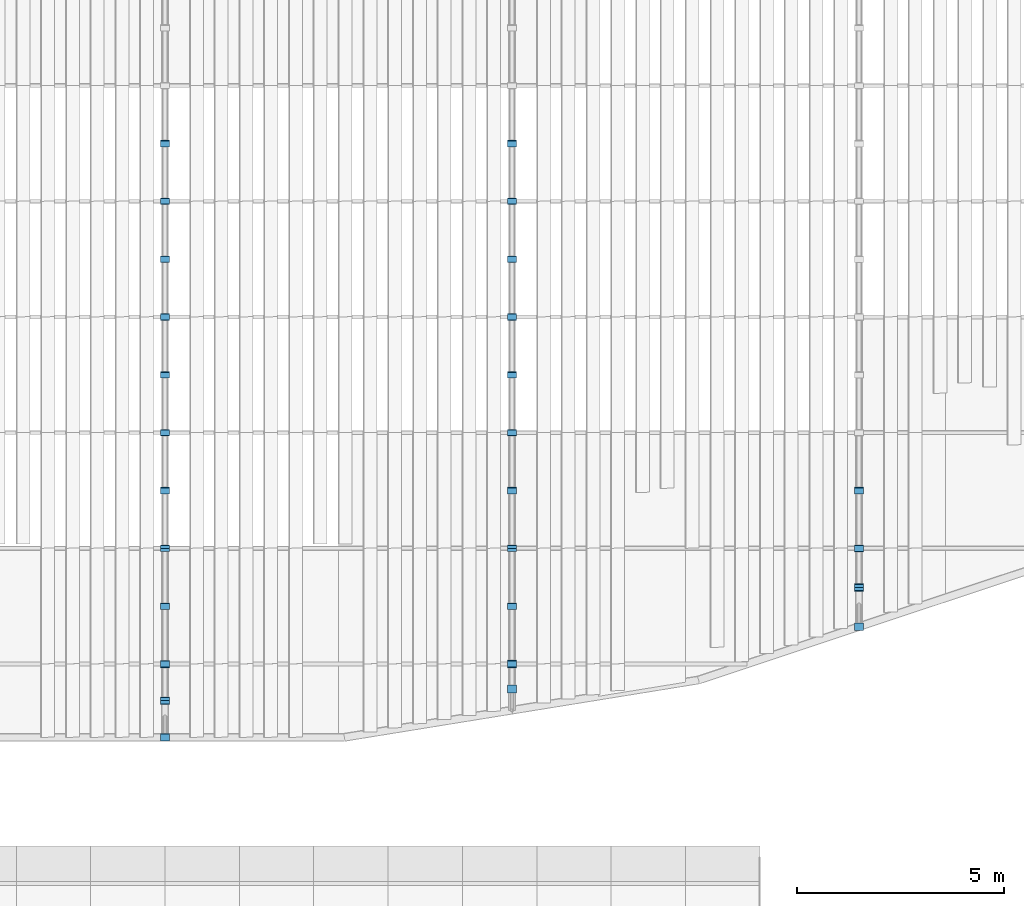
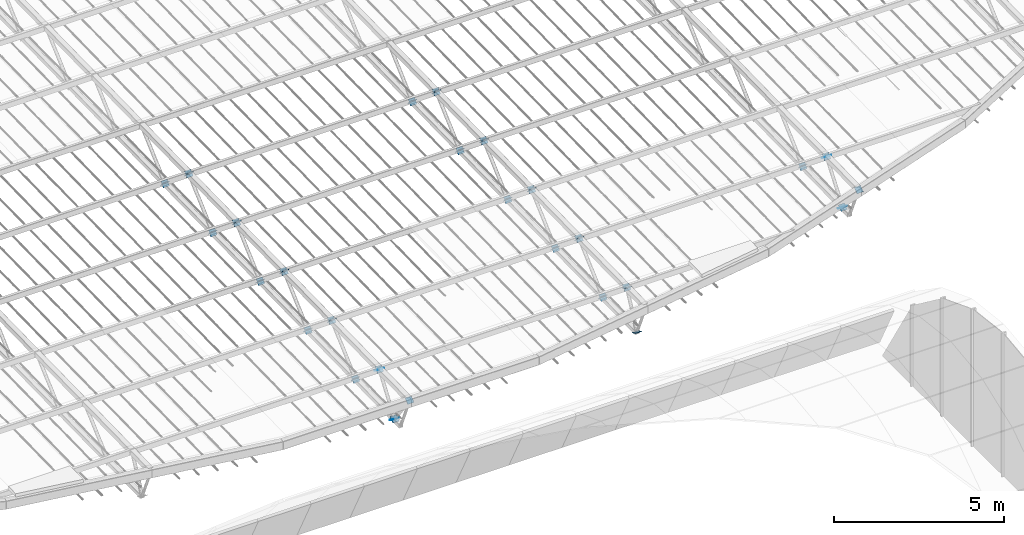
# One storey, part 104 of 129: 51 discrete accessories.
"""IFC4 building model written with IfcOpenShell, lengths in metres."""

from ifc_helpers import new_model, si_unit, direction, frame, origin, origin_2d, place, context, subcontext, project, spatial, rectangle, extrude, material, material_profile, profile_set, type_object, element, save


model = new_model("IFC4")

# Units and contexts
model_context = context("Model", 3, precision=1e-05, world=origin(), true_north=direction((0.0, 1.0)))
body_context = subcontext(model_context, "Body", "Model", "MODEL_VIEW")
ifc_project = project(units=[si_unit("LENGTHUNIT", "METRE"), si_unit("AREAUNIT", "SQUARE_METRE"), si_unit("VOLUMEUNIT", "CUBIC_METRE"), si_unit("PLANEANGLEUNIT", "RADIAN"), si_unit("MASSUNIT", "GRAM", prefix="KILO")], contexts=[model_context])

# Site, building, storey
site_placement = place(None, origin())
site = spatial("IfcSite", under=ifc_project, at=site_placement, CompositionType="ELEMENT")
building_placement = place(site_placement, origin())
building = spatial("IfcBuilding", under=site, at=building_placement, Name="Ardhachandra Cancer Care Centre", CompositionType="ELEMENT")
storey_placement = place(building_placement, frame((0.0, 0.0, 4.5)))
storey = spatial("IfcBuildingStorey", under=building, at=storey_placement, Name="L01", CompositionType="ELEMENT", Elevation=4.5)

# Discrete accessories
ifc_material = material(Name="Steel E250 (IS 2062)", Category="steel")
ifc_material_profile = material_profile(ifc_material, rectangle(XDim=0.21435546875, YDim=0.21435546875, at=origin_2d()), Name="PL 214x214x12")
ifc_profile_set = profile_set([ifc_material_profile], Name="Steel E250 (IS 2062)")
discrete_accessory_type = type_object("IfcDiscreteAccessoryType", Name="Diagonal end plate 214 x 214 x 12", PredefinedType="BRACKET", material=ifc_profile_set)
discrete_accessory_1_placement = place(storey_placement, frame((78.0, 38.77490234375, 1.310546875), z_axis=(0.0, 0.746295434469, 0.665614846958), x_axis=(-1.0, 0.0, 0.0)))
element("IfcDiscreteAccessory", 1, at=discrete_accessory_1_placement, inside=storey, type_object=discrete_accessory_type, Name="Diagonal end plate Canopy truss 5 web diagonal WD34 2", PredefinedType="BRACKET", context=body_context, shape_type="SweptSolid", body=[
    extrude(rectangle(XDim=0.21435546875, YDim=0.21435546875, at=origin_2d()), origin(), (0.0, 0.0, 1.0), 0.01220703125),
])
for number, where, z_axis, x_axis, name in (
    (2, (78.0, 38.77490234375, 1.310546875), (0.0, -0.756363172452, 0.654151932932), (1.0, 0.0, 0.0), "Diagonal end plate Canopy truss 5 web diagonal WD35 1"),
    (3, (78.0, 37.375, 2.517578125), (0.0, 0.756363172452, -0.654151932932), (-1.0, 0.0, 0.0), "Diagonal end plate Canopy truss 5 web diagonal WD35 2"),
    (4, (78.0, 37.375, 2.517578125), (0.0, -0.737154140201, -0.675724628517), (1.0, 0.0, 0.0), "Diagonal end plate Canopy truss 5 web diagonal WD36 1"),
    (5, (78.0, 35.97509765625, 1.25439453125), (0.0, 0.737154140201, 0.675724628517), (-1.0, 0.0, 0.0), "Diagonal end plate Canopy truss 5 web diagonal WD36 2"),
):
    element("IfcDiscreteAccessory", number, at=place(storey_placement, frame(where, z_axis=z_axis, x_axis=x_axis)), inside=storey, type_object=discrete_accessory_type, Name=name, PredefinedType="BRACKET", context=body_context, shape_type="SweptSolid", body=[
        extrude(rectangle(XDim=0.21435546875, YDim=0.21435546875, at=origin_2d()), origin(), (0.0, 0.0, 1.0), 0.011962890625),
    ])
discrete_accessory_2_placement = place(storey_placement, frame((78.0, 35.97509765625, 1.25439453125), z_axis=(0.0, -0.755033118393, 0.655686655446), x_axis=(1.0, 0.0, 0.0)))
element("IfcDiscreteAccessory", 6, at=discrete_accessory_2_placement, inside=storey, type_object=discrete_accessory_type, Name="Diagonal end plate Canopy truss 5 web diagonal WD37 1", PredefinedType="BRACKET", context=body_context, shape_type="SweptSolid", body=[
    extrude(rectangle(XDim=0.21435546875, YDim=0.21435546875, at=origin_2d()), origin(), (0.0, 0.0, 1.0), 0.01220703125),
])
for number, where, z_axis, x_axis, name in (
    (7, (78.0, 34.574951171875, 2.46142578125), (0.0, 0.756363172452, -0.654151932932), (-1.0, 0.0, 0.0), "Diagonal end plate Canopy truss 5 web diagonal WD37 2"),
    (8, (78.0, 34.574951171875, 2.46142578125), (0.0, -0.737154140201, -0.675724628517), (1.0, 0.0, 0.0), "Diagonal end plate Canopy truss 5 web diagonal WD38 1"),
    (9, (78.0, 33.175048828125, 1.198486328125), (0.0, 0.737154140201, 0.675724628517), (-1.0, 0.0, 0.0), "Diagonal end plate Canopy truss 5 web diagonal WD38 2"),
    (10, (78.0, 33.175048828125, 1.198486328125), (0.0, -0.756363172452, 0.654151932932), (1.0, 0.0, 0.0), "Diagonal end plate Canopy truss 5 web diagonal WD39 1"),
):
    element("IfcDiscreteAccessory", number, at=place(storey_placement, frame(where, z_axis=z_axis, x_axis=x_axis)), inside=storey, type_object=discrete_accessory_type, Name=name, PredefinedType="BRACKET", context=body_context, shape_type="SweptSolid", body=[
        extrude(rectangle(XDim=0.21435546875, YDim=0.21435546875, at=origin_2d()), origin(), (0.0, 0.0, 1.0), 0.011962890625),
    ])
discrete_accessory_3_placement = place(storey_placement, frame((78.0, 31.77490234375, 2.405517578125), z_axis=(0.0, 0.764911198117, -0.644135745783), x_axis=(-1.0, 0.0, 0.0)))
element("IfcDiscreteAccessory", 11, at=discrete_accessory_3_placement, inside=storey, type_object=discrete_accessory_type, Name="Diagonal end plate Canopy truss 5 web diagonal WD39 2", PredefinedType="BRACKET", context=body_context, shape_type="SweptSolid", body=[
    extrude(rectangle(XDim=0.21435546875, YDim=0.21435546875, at=origin_2d()), origin(), (0.0, 0.0, 1.0), 0.01220703125),
])
for number, where, z_axis, x_axis, name in (
    (12, (78.0, 31.77490234375, 2.405517578125), (0.0, -0.737154140201, -0.675724628517), (1.0, 0.0, 0.0), "Diagonal end plate Canopy truss 5 web diagonal WD40 1"),
    (13, (78.0, 30.375, 1.142578125), (0.0, 0.737154140201, 0.675724628517), (-1.0, 0.0, 0.0), "Diagonal end plate Canopy truss 5 web diagonal WD40 2"),
    (14, (78.0, 30.375, 1.142578125), (0.0, -0.756363172452, 0.654151932932), (1.0, 0.0, 0.0), "Diagonal end plate Canopy truss 5 web diagonal WD41 1"),
):
    element("IfcDiscreteAccessory", number, at=place(storey_placement, frame(where, z_axis=z_axis, x_axis=x_axis)), inside=storey, type_object=discrete_accessory_type, Name=name, PredefinedType="BRACKET", context=body_context, shape_type="SweptSolid", body=[
        extrude(rectangle(XDim=0.21435546875, YDim=0.21435546875, at=origin_2d()), origin(), (0.0, 0.0, 1.0), 0.011962890625),
    ])
for number, where, z_axis, x_axis, name in (
    (15, (78.0, 28.97509765625, 2.349609375), (0.0, 0.746295434469, -0.665614846958), (-1.0, 0.0, 0.0), "Diagonal end plate Canopy truss 5 web diagonal WD41 2"),
    (16, (78.0, 28.97509765625, 2.349609375), (0.0, -0.746295434469, -0.665614846958), (1.0, 0.0, 0.0), "Diagonal end plate Canopy truss 5 web diagonal WD42 1"),
    (17, (78.0, 27.574951171875, 1.08642578125), (0.0, 0.746295434469, 0.665614846958), (-1.0, 0.0, 0.0), "Diagonal end plate Canopy truss 5 web diagonal WD42 2"),
):
    element("IfcDiscreteAccessory", number, at=place(storey_placement, frame(where, z_axis=z_axis, x_axis=x_axis)), inside=storey, type_object=discrete_accessory_type, Name=name, PredefinedType="BRACKET", context=body_context, shape_type="SweptSolid", body=[
        extrude(rectangle(XDim=0.21435546875, YDim=0.21435546875, at=origin_2d()), origin(), (0.0, 0.0, 1.0), 0.01220703125),
    ])
for number, where, z_axis, x_axis, name in (
    (18, (78.0, 27.574951171875, 1.08642578125), (0.0, -0.756363172452, 0.654151932932), (1.0, 0.0, 0.0), "Diagonal end plate Canopy truss 5 web diagonal WD43 1"),
    (19, (78.0, 26.175048828125, 2.29345703125), (0.0, 0.756363172452, -0.654151932932), (-1.0, 0.0, 0.0), "Diagonal end plate Canopy truss 5 web diagonal WD43 2"),
    (20, (78.0, 26.175048828125, 2.29345703125), (0.0, -0.586967571461, -0.809610443394), (1.0, 0.0, 0.0), "Diagonal end plate Canopy truss 5 web diagonal WD44 1"),
    (21, (78.0, 25.285888671875, 1.040771484375), (0.0, 0.573462344363, 0.819231920519), (-1.0, 0.0, 0.0), "Diagonal end plate Canopy truss 5 web diagonal WD44 2"),
    (22, (78.0, 25.285888671875, 1.040771484375), (0.0, -0.596702766345, 0.802462340946), (1.0, 0.0, 0.0), "Diagonal end plate Canopy truss 5 web diagonal WD45 1"),
    (23, (78.0, 24.396728515625, 2.2578125), (0.0, 0.596702766345, -0.802462340946), (-1.0, 0.0, 0.0), "Diagonal end plate Canopy truss 5 web diagonal WD45 2"),
):
    element("IfcDiscreteAccessory", number, at=place(storey_placement, frame(where, z_axis=z_axis, x_axis=x_axis)), inside=storey, type_object=discrete_accessory_type, Name=name, PredefinedType="BRACKET", context=body_context, shape_type="SweptSolid", body=[
        extrude(rectangle(XDim=0.21435546875, YDim=0.21435546875, at=origin_2d()), origin(), (0.0, 0.0, 1.0), 0.011962890625),
    ])
discrete_accessory_4_placement = place(storey_placement, frame((86.39990234375, 38.77490234375, 1.310546875), z_axis=(0.0, 0.746295434469, 0.665614846958), x_axis=(-1.0, 0.0, 0.0)))
element("IfcDiscreteAccessory", 24, at=discrete_accessory_4_placement, inside=storey, type_object=discrete_accessory_type, Name="Diagonal end plate Canopy truss 6 web diagonal WD33 2", PredefinedType="BRACKET", context=body_context, shape_type="SweptSolid", body=[
    extrude(rectangle(XDim=0.21435546875, YDim=0.21435546875, at=origin_2d()), origin(), (0.0, 0.0, 1.0), 0.01220703125),
])
for number, where, z_axis, x_axis, name in (
    (25, (86.39990234375, 38.77490234375, 1.310546875), (0.0, -0.756363172452, 0.654151932932), (1.0, 0.0, 0.0), "Diagonal end plate Canopy truss 6 web diagonal WD34 1"),
    (26, (86.39990234375, 37.375, 2.517578125), (0.0, 0.756363172452, -0.654151932932), (-1.0, 0.0, 0.0), "Diagonal end plate Canopy truss 6 web diagonal WD34 2"),
    (27, (86.39990234375, 37.375, 2.517578125), (0.0, -0.737154140201, -0.675724628517), (1.0, 0.0, 0.0), "Diagonal end plate Canopy truss 6 web diagonal WD35 1"),
    (28, (86.39990234375, 35.97509765625, 1.25439453125), (0.0, 0.737154140201, 0.675724628517), (-1.0, 0.0, 0.0), "Diagonal end plate Canopy truss 6 web diagonal WD35 2"),
):
    element("IfcDiscreteAccessory", number, at=place(storey_placement, frame(where, z_axis=z_axis, x_axis=x_axis)), inside=storey, type_object=discrete_accessory_type, Name=name, PredefinedType="BRACKET", context=body_context, shape_type="SweptSolid", body=[
        extrude(rectangle(XDim=0.21435546875, YDim=0.21435546875, at=origin_2d()), origin(), (0.0, 0.0, 1.0), 0.011962890625),
    ])
discrete_accessory_5_placement = place(storey_placement, frame((86.39990234375, 35.97509765625, 1.25439453125), z_axis=(0.0, -0.755033118393, 0.655686655446), x_axis=(1.0, 0.0, 0.0)))
element("IfcDiscreteAccessory", 29, at=discrete_accessory_5_placement, inside=storey, type_object=discrete_accessory_type, Name="Diagonal end plate Canopy truss 6 web diagonal WD36 1", PredefinedType="BRACKET", context=body_context, shape_type="SweptSolid", body=[
    extrude(rectangle(XDim=0.21435546875, YDim=0.21435546875, at=origin_2d()), origin(), (0.0, 0.0, 1.0), 0.01220703125),
])
for number, where, z_axis, x_axis, name in (
    (30, (86.39990234375, 34.574951171875, 2.46142578125), (0.0, 0.756363172452, -0.654151932932), (-1.0, 0.0, 0.0), "Diagonal end plate Canopy truss 6 web diagonal WD36 2"),
    (31, (86.39990234375, 34.574951171875, 2.46142578125), (0.0, -0.737154140201, -0.675724628517), (1.0, 0.0, 0.0), "Diagonal end plate Canopy truss 6 web diagonal WD37 1"),
    (32, (86.39990234375, 33.175048828125, 1.198486328125), (0.0, 0.737154140201, 0.675724628517), (-1.0, 0.0, 0.0), "Diagonal end plate Canopy truss 6 web diagonal WD37 2"),
    (33, (86.39990234375, 33.175048828125, 1.198486328125), (0.0, -0.756363172452, 0.654151932932), (1.0, 0.0, 0.0), "Diagonal end plate Canopy truss 6 web diagonal WD38 1"),
):
    element("IfcDiscreteAccessory", number, at=place(storey_placement, frame(where, z_axis=z_axis, x_axis=x_axis)), inside=storey, type_object=discrete_accessory_type, Name=name, PredefinedType="BRACKET", context=body_context, shape_type="SweptSolid", body=[
        extrude(rectangle(XDim=0.21435546875, YDim=0.21435546875, at=origin_2d()), origin(), (0.0, 0.0, 1.0), 0.011962890625),
    ])
discrete_accessory_6_placement = place(storey_placement, frame((86.39990234375, 31.77490234375, 2.405517578125), z_axis=(0.0, 0.764911198117, -0.644135745783), x_axis=(-1.0, 0.0, 0.0)))
element("IfcDiscreteAccessory", 34, at=discrete_accessory_6_placement, inside=storey, type_object=discrete_accessory_type, Name="Diagonal end plate Canopy truss 6 web diagonal WD38 2", PredefinedType="BRACKET", context=body_context, shape_type="SweptSolid", body=[
    extrude(rectangle(XDim=0.21435546875, YDim=0.21435546875, at=origin_2d()), origin(), (0.0, 0.0, 1.0), 0.01220703125),
])
for number, where, z_axis, x_axis, name in (
    (35, (86.39990234375, 31.77490234375, 2.405517578125), (0.0, -0.737154140201, -0.675724628517), (1.0, 0.0, 0.0), "Diagonal end plate Canopy truss 6 web diagonal WD39 1"),
    (36, (86.39990234375, 30.375, 1.142578125), (0.0, 0.737154140201, 0.675724628517), (-1.0, 0.0, 0.0), "Diagonal end plate Canopy truss 6 web diagonal WD39 2"),
    (37, (86.39990234375, 30.375, 1.142578125), (0.0, -0.756363172452, 0.654151932932), (1.0, 0.0, 0.0), "Diagonal end plate Canopy truss 6 web diagonal WD40 1"),
):
    element("IfcDiscreteAccessory", number, at=place(storey_placement, frame(where, z_axis=z_axis, x_axis=x_axis)), inside=storey, type_object=discrete_accessory_type, Name=name, PredefinedType="BRACKET", context=body_context, shape_type="SweptSolid", body=[
        extrude(rectangle(XDim=0.21435546875, YDim=0.21435546875, at=origin_2d()), origin(), (0.0, 0.0, 1.0), 0.011962890625),
    ])
for number, where, z_axis, x_axis, name in (
    (38, (86.39990234375, 28.97509765625, 2.349609375), (0.0, 0.746295434469, -0.665614846958), (-1.0, 0.0, 0.0), "Diagonal end plate Canopy truss 6 web diagonal WD40 2"),
    (39, (86.39990234375, 28.97509765625, 2.349609375), (0.0, -0.746295434469, -0.665614846958), (1.0, 0.0, 0.0), "Diagonal end plate Canopy truss 6 web diagonal WD41 1"),
    (40, (86.39990234375, 27.574951171875, 1.08642578125), (0.0, 0.746295434469, 0.665614846958), (-1.0, 0.0, 0.0), "Diagonal end plate Canopy truss 6 web diagonal WD41 2"),
):
    element("IfcDiscreteAccessory", number, at=place(storey_placement, frame(where, z_axis=z_axis, x_axis=x_axis)), inside=storey, type_object=discrete_accessory_type, Name=name, PredefinedType="BRACKET", context=body_context, shape_type="SweptSolid", body=[
        extrude(rectangle(XDim=0.21435546875, YDim=0.21435546875, at=origin_2d()), origin(), (0.0, 0.0, 1.0), 0.01220703125),
    ])
for number, where, z_axis, x_axis, name in (
    (41, (86.39990234375, 27.574951171875, 1.08642578125), (0.0, -0.756363172452, 0.654151932932), (1.0, 0.0, 0.0), "Diagonal end plate Canopy truss 6 web diagonal WD42 1"),
    (42, (86.39990234375, 26.175048828125, 2.29345703125), (0.0, 0.756363172452, -0.654151932932), (-1.0, 0.0, 0.0), "Diagonal end plate Canopy truss 6 web diagonal WD42 2"),
    (43, (86.39990234375, 26.175048828125, 2.29345703125), (0.0, -0.4472135955, -0.894427191), (1.0, 0.0, 0.0), "Diagonal end plate Canopy truss 6 web diagonal WD43 1"),
    (44, (86.39990234375, 25.566162109375, 1.04638671875), (0.0, 0.430729586215, 0.902481037784), (-1.0, 0.0, 0.0), "Diagonal end plate Canopy truss 6 web diagonal WD43 2"),
    (45, (94.800048828125, 30.375, 1.142578125), (0.0, 0.737154140201, 0.675724628517), (-1.0, 0.0, 0.0), "Diagonal end plate Canopy truss 7 web diagonal WD38 2"),
    (46, (94.800048828125, 30.375, 1.142578125), (0.0, -0.756363172452, 0.654151932932), (1.0, 0.0, 0.0), "Diagonal end plate Canopy truss 7 web diagonal WD39 1"),
):
    element("IfcDiscreteAccessory", number, at=place(storey_placement, frame(where, z_axis=z_axis, x_axis=x_axis)), inside=storey, type_object=discrete_accessory_type, Name=name, PredefinedType="BRACKET", context=body_context, shape_type="SweptSolid", body=[
        extrude(rectangle(XDim=0.21435546875, YDim=0.21435546875, at=origin_2d()), origin(), (0.0, 0.0, 1.0), 0.011962890625),
    ])
for number, where, z_axis, x_axis, name in (
    (47, (94.800048828125, 28.97509765625, 2.349609375), (0.0, 0.746295434469, -0.665614846958), (-1.0, 0.0, 0.0), "Diagonal end plate Canopy truss 7 web diagonal WD39 2"),
    (48, (94.800048828125, 28.97509765625, 2.349609375), (0.0, -0.6, -0.8), (1.0, 0.0, 0.0), "Diagonal end plate Canopy truss 7 web diagonal WD40 1"),
):
    element("IfcDiscreteAccessory", number, at=place(storey_placement, frame(where, z_axis=z_axis, x_axis=x_axis)), inside=storey, type_object=discrete_accessory_type, Name=name, PredefinedType="BRACKET", context=body_context, shape_type="SweptSolid", body=[
        extrude(rectangle(XDim=0.21435546875, YDim=0.21435546875, at=origin_2d()), origin(), (0.0, 0.0, 1.0), 0.01220703125),
    ])
for number, where, z_axis, x_axis, name in (
    (49, (94.800048828125, 28.025634765625, 1.095458984375), (0.0, 0.60971076085, 0.792623989105), (-1.0, 0.0, 0.0), "Diagonal end plate Canopy truss 7 web diagonal WD40 2"),
    (50, (94.800048828125, 28.025634765625, 1.095458984375), (0.0, -0.60971076085, 0.792623989105), (1.0, 0.0, 0.0), "Diagonal end plate Canopy truss 7 web diagonal WD41 1"),
    (51, (94.800048828125, 27.076171875, 2.3115234375), (0.0, 0.60971076085, -0.792623989105), (-1.0, 0.0, 0.0), "Diagonal end plate Canopy truss 7 web diagonal WD41 2"),
):
    element("IfcDiscreteAccessory", number, at=place(storey_placement, frame(where, z_axis=z_axis, x_axis=x_axis)), inside=storey, type_object=discrete_accessory_type, Name=name, PredefinedType="BRACKET", context=body_context, shape_type="SweptSolid", body=[
        extrude(rectangle(XDim=0.21435546875, YDim=0.21435546875, at=origin_2d()), origin(), (0.0, 0.0, 1.0), 0.011962890625),
    ])

save(model, "model.ifc")
